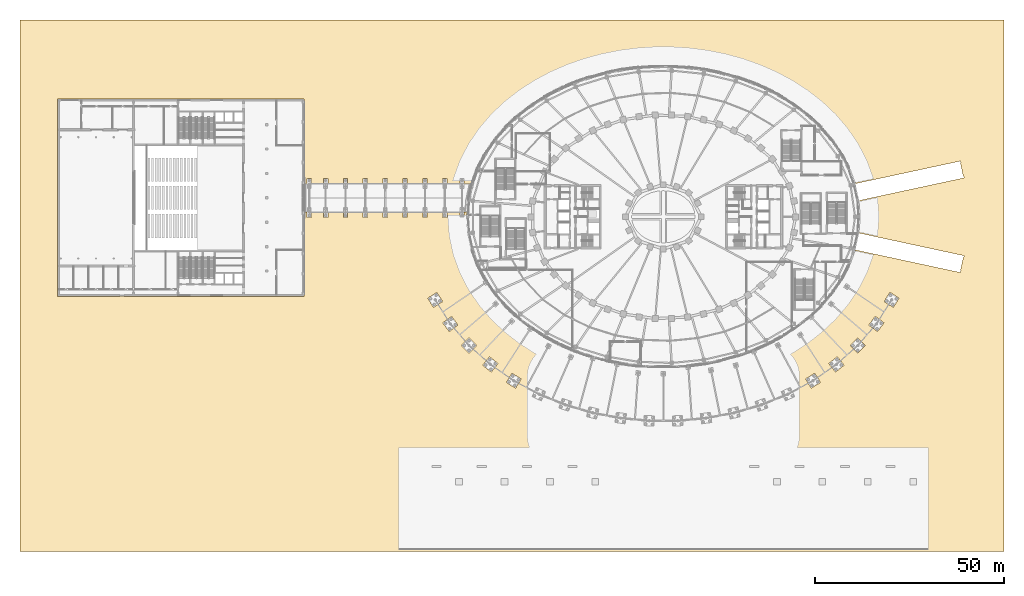
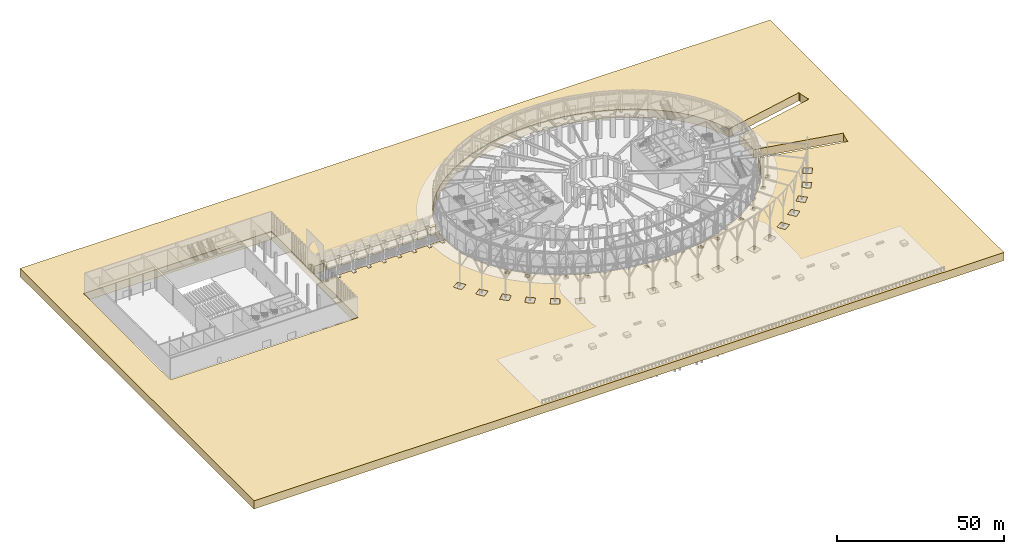
# One storey, part 63 of 79: 1 covering.
"""IFC4 building model written with IfcOpenShell, lengths in metres."""

from ifc_helpers import new_model, si_unit, direction, frame, origin, place, context, subcontext, project, spatial, polyline, outline, extrude, material, layer, layer_set, type_object, element, save


model = new_model("IFC4")

# Units and contexts
model_context = context("Model", 3, precision=1e-05, world=origin(), true_north=direction((0.0, 1.0)))
body_context = subcontext(model_context, "Body", "Model", "MODEL_VIEW")
ifc_project = project(units=[si_unit("LENGTHUNIT", "METRE"), si_unit("AREAUNIT", "SQUARE_METRE"), si_unit("VOLUMEUNIT", "CUBIC_METRE"), si_unit("PLANEANGLEUNIT", "RADIAN"), si_unit("MASSUNIT", "GRAM", prefix="KILO")], contexts=[model_context])

# Site, building, storey
site_placement = place(None, origin())
site = spatial("IfcSite", under=ifc_project, at=site_placement, CompositionType="ELEMENT")
building_placement = place(site_placement, origin())
building = spatial("IfcBuilding", under=site, at=building_placement, Name="Noorbagh Ring Tower", CompositionType="ELEMENT")
storey_placement = place(building_placement, origin())
storey = spatial("IfcBuildingStorey", under=building, at=storey_placement, Name="L00", CompositionType="ELEMENT", Elevation=0.0)

# Covering
ifc_material = material(Name="Compacted soil fill")
ifc_layer = layer(ifc_material, 3.0)
ifc_layer_set = layer_set([ifc_layer], Name="Compacted soil fill")
covering_type = type_object("IfcCoveringType", Name="SITE-GROUND", PredefinedType="USERDEFINED", material=ifc_layer_set)
covering_placement = place(storey_placement, frame((0.0, 0.0, -3.14990234375)))
element("IfcCovering", 1, at=covering_placement, inside=storey, type_object=covering_type, Name="Site ground", ObjectType="SITE GROUND", PredefinedType="USERDEFINED", context=body_context, shape_type="SweptSolid", body=[
    extrude(outline(polyline([(-170.0, -88.5), (-170.0, 52.0), (90.0, 52.0), (90.0, -88.5), (-170.0, -88.5)]), holes=[polyline([(-9.654052734375, -51.9638671875), (-12.486572265625, -51.568115234375), (-12.88232421875, -54.400390625), (-10.0498046875, -54.79638671875), (-9.654052734375, -51.9638671875)]), polyline([(-19.733154296875, -50.08447265625), (-20.400634765625, -52.865478515625), (-17.619384765625, -53.53271484375), (-16.9521484375, -50.751708984375), (-19.733154296875, -50.08447265625)]), polyline([(-24.08056640625, -48.79052734375), (-26.78173828125, -47.850830078125), (-27.721435546875, -50.552001953125), (-25.020263671875, -51.49169921875), (-24.08056640625, -48.79052734375)]), polyline([(-30.9912109375, -46.17236328125), (-33.58251953125, -44.96240234375), (-34.79248046875, -47.5537109375), (-32.201171875, -48.763671875), (-30.9912109375, -46.17236328125)]), polyline([(-40.00439453125, -41.340087890625), (-41.49951171875, -43.7783203125), (-39.061279296875, -45.2734375), (-37.56640625, -42.835205078125), (-40.00439453125, -41.340087890625)]), polyline([(-6.063720703125, -41.988525390625), (-5.972900390625, -40.651611328125), (-7.31005859375, -40.560791015625), (-7.400634765625, -41.89794921875), (-6.063720703125, -41.988525390625)]), polyline([(-43.704833984375, -38.760009765625), (-45.95361328125, -36.992919921875), (-47.720703125, -39.24169921875), (-45.47216796875, -41.0087890625), (-43.704833984375, -38.760009765625)]), polyline([(-24.82177734375, -36.126220703125), (-25.3583984375, -37.354248046875), (-24.130615234375, -37.890869140625), (-23.59375, -36.662841796875), (-24.82177734375, -36.126220703125)]), polyline([(-31.27099609375, -34.40478515625), (-30.088623046875, -35.035888671875), (-29.457763671875, -33.853759765625), (-30.639892578125, -33.22265625), (-31.27099609375, -34.40478515625)]), polyline([(-49.334716796875, -34.025634765625), (-51.345458984375, -31.99169921875), (-53.37939453125, -34.00244140625), (-51.36865234375, -36.036376953125), (-49.334716796875, -34.025634765625)]), polyline([(-54.27880859375, -28.611083984375), (-55.9814453125, -26.31298828125), (-58.279541015625, -28.015625), (-56.576904296875, -30.313720703125), (-54.27880859375, -28.611083984375)]), polyline([(-41.046142578125, -27.623046875), (-40.072998046875, -28.544189453125), (-39.151611328125, -27.5712890625), (-40.124755859375, -26.64990234375), (-41.046142578125, -27.623046875)]), polyline([(-45.27001953125, -22.9423828125), (-44.397216796875, -23.958984375), (-43.38037109375, -23.086181640625), (-44.25341796875, -22.069580078125), (-45.27001953125, -22.9423828125)]), polyline([(-60.743896484375, -23.919189453125), (-58.325439453125, -22.392578125), (-59.85205078125, -19.97412109375), (-62.2705078125, -21.500732421875), (-60.743896484375, -23.919189453125)]), polyline([(-160.070068359375, 31.070068359375), (-160.070068359375, -21.070068359375), (-94.929931640625, -21.070068359375), (-94.929931640625, 31.070068359375), (-160.070068359375, 31.070068359375)]), polyline([(-79.320068359375, -0.169921875), (-78.179931640625, -0.169921875), (-78.179931640625, 1.22998046875), (-74.070068359375, 1.22998046875), (-74.070068359375, -0.169921875), (-72.929931640625, -0.169921875), (-72.929931640625, 1.22998046875), (-68.820068359375, 1.22998046875), (-68.820068359375, -0.169921875), (-67.679931640625, -0.169921875), (-67.679931640625, 1.22998046875), (-63.570068359375, 1.22998046875), (-63.570068359375, -0.169921875), (-62.429931640625, -0.169921875), (-62.429931640625, 1.22998046875), (-58.320068359375, 1.22998046875), (-58.320068359375, -0.169921875), (-57.179931640625, -0.169921875), (-57.179931640625, 1.22998046875), (-53.77001953125, 1.22998046875), (-53.77001953125, -0.169921875), (-52.6298828125, -0.169921875), (-52.6298828125, 1.22998046875), (-52.0419921875, 1.22998046875), (-51.8173828125, 4.373046875), (-50.893798828125, 8.6591796875), (-50.85400390625, 8.77001953125), (-52.6298828125, 8.77001953125), (-52.6298828125, 10.169921875), (-53.77001953125, 10.169921875), (-53.77001953125, 8.77001953125), (-57.179931640625, 8.77001953125), (-57.179931640625, 10.169921875), (-58.320068359375, 10.169921875), (-58.320068359375, 8.77001953125), (-62.429931640625, 8.77001953125), (-62.429931640625, 10.169921875), (-63.570068359375, 10.169921875), (-63.570068359375, 8.77001953125), (-67.679931640625, 8.77001953125), (-67.679931640625, 10.169921875), (-68.820068359375, 10.169921875), (-68.820068359375, 8.77001953125), (-72.929931640625, 8.77001953125), (-72.929931640625, 10.169921875), (-74.070068359375, 10.169921875), (-74.070068359375, 8.77001953125), (-78.179931640625, 8.77001953125), (-78.179931640625, 10.169921875), (-79.320068359375, 10.169921875), (-79.320068359375, 8.77001953125), (-83.429931640625, 8.77001953125), (-83.429931640625, 10.169921875), (-84.570068359375, 10.169921875), (-84.570068359375, 8.77001953125), (-88.679931640625, 8.77001953125), (-88.679931640625, 10.169921875), (-89.820068359375, 10.169921875), (-89.820068359375, 8.77001953125), (-93.030029296875, 8.77001953125), (-93.030029296875, 10.169921875), (-94.169921875, 10.169921875), (-94.169921875, 8.77001953125), (-94.8701171875, 8.77001953125), (-94.8701171875, 1.22998046875), (-94.169921875, 1.22998046875), (-94.169921875, -0.169921875), (-93.030029296875, -0.169921875), (-93.030029296875, 1.22998046875), (-89.820068359375, 1.22998046875), (-89.820068359375, -0.169921875), (-88.679931640625, -0.169921875), (-88.679931640625, 1.22998046875), (-84.570068359375, 1.22998046875), (-84.570068359375, -0.169921875), (-83.429931640625, -0.169921875), (-83.429931640625, 1.22998046875), (-79.320068359375, 1.22998046875), (-79.320068359375, -0.169921875)]), polyline([(5.128173828125, -52.39599609375), (2.271240234375, -52.53076171875), (2.406005859375, -55.387451171875), (5.262939453125, -55.252685546875), (5.128173828125, -52.39599609375)]), polyline([(-2.271240234375, -52.53076171875), (-5.128173828125, -52.39599609375), (-5.262939453125, -55.252685546875), (-2.406005859375, -55.387451171875), (-2.271240234375, -52.53076171875)]), polyline([(12.88232421875, -54.400390625), (12.486572265625, -51.568115234375), (9.654052734375, -51.9638671875), (10.0498046875, -54.79638671875), (12.88232421875, -54.400390625)]), polyline([(19.733154296875, -50.08447265625), (16.9521484375, -50.751708984375), (17.619384765625, -53.53271484375), (20.400634765625, -52.865478515625), (19.733154296875, -50.08447265625)]), polyline([(24.08056640625, -48.79052734375), (25.020263671875, -51.49169921875), (27.721435546875, -50.552001953125), (26.78173828125, -47.850830078125), (24.08056640625, -48.79052734375)]), polyline([(33.58251953125, -44.96240234375), (30.9912109375, -46.17236328125), (32.201171875, -48.763671875), (34.79248046875, -47.5537109375), (33.58251953125, -44.96240234375)]), polyline([(40.00439453125, -41.340087890625), (37.56640625, -42.835205078125), (39.061279296875, -45.2734375), (41.49951171875, -43.7783203125), (40.00439453125, -41.340087890625)]), polyline([(-0.669921875, -40.794189453125), (-0.669921875, -42.13427734375), (0.669921875, -42.13427734375), (0.669921875, -40.794189453125), (-0.669921875, -40.794189453125)]), polyline([(12.044921875, -41.300537109375), (13.358642578125, -41.037353515625), (13.09521484375, -39.723388671875), (11.781494140625, -39.98681640625), (12.044921875, -41.300537109375)]), polyline([(18.681396484375, -40.072265625), (19.97412109375, -39.71923828125), (19.621337890625, -38.426513671875), (18.32861328125, -38.779541015625), (18.681396484375, -40.072265625)]), polyline([(43.704833984375, -38.760009765625), (45.47216796875, -41.0087890625), (47.720703125, -39.24169921875), (45.95361328125, -36.992919921875), (43.704833984375, -38.760009765625)]), polyline([(51.345458984375, -31.99169921875), (49.334716796875, -34.025634765625), (51.36865234375, -36.036376953125), (53.37939453125, -34.00244140625), (51.345458984375, -31.99169921875)]), polyline([(29.363525390625, -33.67724609375), (29.99462890625, -34.859375), (31.1767578125, -34.228515625), (30.545654296875, -33.04638671875), (29.363525390625, -33.67724609375)]), polyline([(35.98486328125, -32.11083984375), (37.1103515625, -31.3837890625), (36.38330078125, -30.258056640625), (35.2578125, -30.985107421875), (35.98486328125, -32.11083984375)]), polyline([(55.9814453125, -26.31298828125), (54.27880859375, -28.611083984375), (56.576904296875, -30.313720703125), (58.279541015625, -28.015625), (55.9814453125, -26.31298828125)]), polyline([(45.27001953125, -22.9423828125), (44.25341796875, -22.069580078125), (43.38037109375, -23.086181640625), (44.397216796875, -23.958984375), (45.27001953125, -22.9423828125)]), polyline([(58.325439453125, -22.392578125), (60.743896484375, -23.919189453125), (62.2705078125, -21.500732421875), (59.85205078125, -19.97412109375), (58.325439453125, -22.392578125)]), polyline([(47.5478515625, -18.62939453125), (48.655517578125, -19.383544921875), (49.40966796875, -18.275634765625), (48.302001953125, -17.521484375), (47.5478515625, -18.62939453125)]), polyline([(-51.75634765625, 4.39306640625), (-51.76416015625, 4.35693359375), (-51.759033203125, 4.355712890625), (-52.067626953125, 0.03662109375), (-52.07275390625, 0.036376953125), (-52.0703125, 0.0), (-52.07275390625, -0.036376953125), (-52.067626953125, -0.03662109375), (-51.759033203125, -4.355712890625), (-51.76416015625, -4.35693359375), (-51.75634765625, -4.39306640625), (-51.753662109375, -4.4296875), (-51.74853515625, -4.42919921875), (-50.8369140625, -8.66064453125), (-50.841796875, -8.662353515625), (-50.82861328125, -8.6982421875), (-50.82080078125, -8.735107421875), (-50.815673828125, -8.734130859375), (-49.339599609375, -12.800048828125), (-49.343994140625, -12.802490234375), (-49.32568359375, -12.837646484375), (-49.312255859375, -12.875), (-49.3076171875, -12.873046875), (-47.32275390625, -16.712158203125), (-47.326904296875, -16.715087890625), (-47.303466796875, -16.74951171875), (-47.2841796875, -16.786376953125), (-47.27978515625, -16.7841796875), (-47.26025390625, -16.812744140625), (-47.75634765625, -17.150390625), (-47.002197265625, -18.258056640625), (-46.50634765625, -17.92041015625), (-44.850341796875, -20.353271484375), (-44.85400390625, -20.3564453125), (-44.825439453125, -20.3896484375), (-44.80078125, -20.42578125), (-44.796875, -20.423095703125), (-41.9873046875, -23.69580078125), (-41.990478515625, -23.69921875), (-41.95751953125, -23.730712890625), (-41.927490234375, -23.765380859375), (-41.924072265625, -23.76220703125), (-38.794677734375, -26.72509765625), (-38.79736328125, -26.728515625), (-38.760009765625, -26.7578125), (-38.7255859375, -26.790283203125), (-38.722412109375, -26.787109375), (-35.676025390625, -29.1630859375), (-36.025390625, -29.70361328125), (-34.899658203125, -30.430908203125), (-34.57421875, -29.9267578125), (-31.632568359375, -31.82666015625), (-31.634521484375, -31.830322265625), (-31.590087890625, -31.85400390625), (-31.547607421875, -31.88134765625), (-31.54541015625, -31.8779296875), (-27.752197265625, -33.902587890625), (-27.753662109375, -33.906494140625), (-27.70654296875, -33.927001953125), (-27.660888671875, -33.951416015625), (-27.6591796875, -33.94775390625), (-23.720947265625, -35.668701171875), (-23.722412109375, -35.672607421875), (-23.62451171875, -35.7109375), (-23.623046875, -35.70751953125), (-19.56982421875, -37.130615234375), (-19.57080078125, -37.13427734375), (-19.46923828125, -37.166015625), (-19.468017578125, -37.162353515625), (-19.289306640625, -37.211181640625), (-19.447509765625, -37.789794921875), (-18.15478515625, -38.142822265625), (-17.99658203125, -37.564208984375), (-15.3251953125, -38.29345703125), (-15.32568359375, -38.297119140625), (-15.22119140625, -38.322021484375), (-15.22021484375, -38.318359375), (-12.906494140625, -38.781982421875), (-13.0244140625, -39.370361328125), (-11.710693359375, -39.6337890625), (-11.5927734375, -39.04541015625), (-11.010498046875, -39.162109375), (-11.010986328125, -39.165771484375), (-10.90380859375, -39.18359375), (-10.9033203125, -39.179931640625), (-6.647216796875, -39.740478515625), (-6.647705078125, -39.743896484375), (-6.5390625, -39.754638671875), (-6.53857421875, -39.751220703125), (-2.255615234375, -40.03076171875), (-2.255615234375, -40.0341796875), (-2.146240234375, -40.037841796875), (-2.14599609375, -40.0341796875), (2.14599609375, -40.0341796875), (2.146240234375, -40.037841796875), (2.255615234375, -40.0341796875), (2.255615234375, -40.03076171875), (5.914794921875, -39.7919921875), (5.95556640625, -40.39208984375), (7.29248046875, -40.301513671875), (7.2490234375, -39.6611328125), (10.9033203125, -39.179931640625), (10.90380859375, -39.18359375), (11.010986328125, -39.165771484375), (11.010498046875, -39.162109375), (15.22021484375, -38.318359375), (15.22119140625, -38.322021484375), (15.32568359375, -38.297119140625), (15.3251953125, -38.29345703125), (19.468017578125, -37.162353515625), (19.46923828125, -37.166015625), (19.57080078125, -37.13427734375), (19.56982421875, -37.130615234375), (23.235595703125, -35.843505859375), (23.48974609375, -36.4248046875), (24.717529296875, -35.88818359375), (24.477294921875, -35.33837890625), (27.6591796875, -33.94775390625), (27.660888671875, -33.951416015625), (27.70654296875, -33.927001953125), (27.753662109375, -33.906494140625), (27.752197265625, -33.902587890625), (31.54541015625, -31.8779296875), (31.547607421875, -31.88134765625), (31.590087890625, -31.85400390625), (31.634521484375, -31.830322265625), (31.632568359375, -31.82666015625), (35.2470703125, -29.4921875), (35.249755859375, -29.49560546875), (35.288330078125, -29.465576171875), (35.32958984375, -29.438720703125), (35.3271484375, -29.435302734375), (38.54248046875, -26.927490234375), (38.972900390625, -27.38232421875), (39.946044921875, -26.461181640625), (39.53369140625, -26.025390625), (41.924072265625, -23.76220703125), (41.927490234375, -23.765380859375), (41.95751953125, -23.730712890625), (41.990478515625, -23.69921875), (41.9873046875, -23.69580078125), (44.796875, -20.423095703125), (44.80078125, -20.42578125), (44.825439453125, -20.3896484375), (44.85400390625, -20.3564453125), (44.850341796875, -20.353271484375), (47.27978515625, -16.7841796875), (47.2841796875, -16.786376953125), (47.303466796875, -16.74951171875), (47.326904296875, -16.715087890625), (47.32275390625, -16.712158203125), (49.3076171875, -12.873046875), (49.312255859375, -12.875), (49.32568359375, -12.837646484375), (49.343994140625, -12.802490234375), (49.339599609375, -12.800048828125), (50.805419921875, -8.7626953125), (78.4794921875, -14.7255859375), (78.59326171875, -14.197509765625), (78.49560546875, -14.176513671875), (79.224365234375, -10.794189453125), (79.322021484375, -10.815185546875), (79.435791015625, -10.287353515625), (51.76123046875, -4.324462890625), (52.067626953125, -0.03662109375), (52.07275390625, -0.036376953125), (52.0703125, 0.0), (52.07275390625, 0.036376953125), (52.067626953125, 0.03662109375), (51.76123046875, 4.324462890625), (79.435791015625, 10.287353515625), (79.322021484375, 10.815185546875), (79.224365234375, 10.794189453125), (78.49560546875, 14.176513671875), (78.59326171875, 14.197509765625), (78.4794921875, 14.7255859375), (50.805419921875, 8.7626953125), (49.339599609375, 12.800048828125), (49.343994140625, 12.802490234375), (49.32568359375, 12.837646484375), (49.312255859375, 12.875), (49.3076171875, 12.873046875), (47.32275390625, 16.712158203125), (47.326904296875, 16.715087890625), (47.303466796875, 16.74951171875), (47.2841796875, 16.786376953125), (47.27978515625, 16.7841796875), (44.850341796875, 20.353271484375), (44.85400390625, 20.3564453125), (44.825439453125, 20.3896484375), (44.80078125, 20.42578125), (44.796875, 20.423095703125), (41.9873046875, 23.69580078125), (41.990478515625, 23.69921875), (41.95751953125, 23.730712890625), (41.927490234375, 23.765380859375), (41.924072265625, 23.76220703125), (38.794677734375, 26.72509765625), (38.79736328125, 26.728515625), (38.760009765625, 26.7578125), (38.7255859375, 26.790283203125), (38.722412109375, 26.787109375), (35.3271484375, 29.435302734375), (35.32958984375, 29.438720703125), (35.288330078125, 29.465576171875), (35.249755859375, 29.49560546875), (35.2470703125, 29.4921875), (31.632568359375, 31.82666015625), (31.634521484375, 31.830322265625), (31.590087890625, 31.85400390625), (31.547607421875, 31.88134765625), (31.54541015625, 31.8779296875), (27.752197265625, 33.902587890625), (27.753662109375, 33.906494140625), (27.70654296875, 33.927001953125), (27.660888671875, 33.951416015625), (27.6591796875, 33.94775390625), (23.720947265625, 35.668701171875), (23.722412109375, 35.672607421875), (23.62451171875, 35.7109375), (23.623046875, 35.70751953125), (19.56982421875, 37.130615234375), (19.57080078125, 37.13427734375), (19.46923828125, 37.166015625), (19.468017578125, 37.162353515625), (15.3251953125, 38.29345703125), (15.32568359375, 38.297119140625), (15.22119140625, 38.322021484375), (15.22021484375, 38.318359375), (11.010498046875, 39.162109375), (11.010986328125, 39.165771484375), (10.90380859375, 39.18359375), (10.9033203125, 39.179931640625), (6.647216796875, 39.740478515625), (6.647705078125, 39.743896484375), (6.5390625, 39.754638671875), (6.53857421875, 39.751220703125), (2.255615234375, 40.03076171875), (2.255615234375, 40.0341796875), (2.146240234375, 40.037841796875), (2.14599609375, 40.0341796875), (-2.14599609375, 40.0341796875), (-2.146240234375, 40.037841796875), (-2.255615234375, 40.0341796875), (-2.255615234375, 40.03076171875), (-6.53857421875, 39.751220703125), (-6.5390625, 39.754638671875), (-6.647705078125, 39.743896484375), (-6.647216796875, 39.740478515625), (-10.9033203125, 39.179931640625), (-10.90380859375, 39.18359375), (-11.010986328125, 39.165771484375), (-11.010498046875, 39.162109375), (-15.22021484375, 38.318359375), (-15.22119140625, 38.322021484375), (-15.32568359375, 38.297119140625), (-15.3251953125, 38.29345703125), (-19.468017578125, 37.162353515625), (-19.46923828125, 37.166015625), (-19.57080078125, 37.13427734375), (-19.56982421875, 37.130615234375), (-23.623046875, 35.70751953125), (-23.62451171875, 35.7109375), (-23.722412109375, 35.672607421875), (-23.720947265625, 35.668701171875), (-27.6591796875, 33.94775390625), (-27.660888671875, 33.951416015625), (-27.70654296875, 33.927001953125), (-27.753662109375, 33.906494140625), (-27.752197265625, 33.902587890625), (-31.54541015625, 31.8779296875), (-31.547607421875, 31.88134765625), (-31.590087890625, 31.85400390625), (-31.634521484375, 31.830322265625), (-31.632568359375, 31.82666015625), (-35.2470703125, 29.4921875), (-35.249755859375, 29.49560546875), (-35.288330078125, 29.465576171875), (-35.32958984375, 29.438720703125), (-35.3271484375, 29.435302734375), (-38.722412109375, 26.787109375), (-38.7255859375, 26.790283203125), (-38.760009765625, 26.7578125), (-38.79736328125, 26.728515625), (-38.794677734375, 26.72509765625), (-41.924072265625, 23.76220703125), (-41.927490234375, 23.765380859375), (-41.95751953125, 23.730712890625), (-41.990478515625, 23.69921875), (-41.9873046875, 23.69580078125), (-44.796875, 20.423095703125), (-44.80078125, 20.42578125), (-44.825439453125, 20.3896484375), (-44.85400390625, 20.3564453125), (-44.850341796875, 20.353271484375), (-47.27978515625, 16.7841796875), (-47.2841796875, 16.786376953125), (-47.303466796875, 16.74951171875), (-47.326904296875, 16.715087890625), (-47.32275390625, 16.712158203125), (-49.3076171875, 12.873046875), (-49.312255859375, 12.875), (-49.32568359375, 12.837646484375), (-49.343994140625, 12.802490234375), (-49.339599609375, 12.800048828125), (-50.815673828125, 8.734130859375), (-50.82080078125, 8.735107421875), (-50.82861328125, 8.6982421875), (-50.841796875, 8.662353515625), (-50.8369140625, 8.66064453125), (-51.74853515625, 4.42919921875), (-51.753662109375, 4.4296875), (-51.75634765625, 4.39306640625)])]), origin(), (0.0, 0.0, 1.0), 3.0),
])

save(model, "model.ifc")
